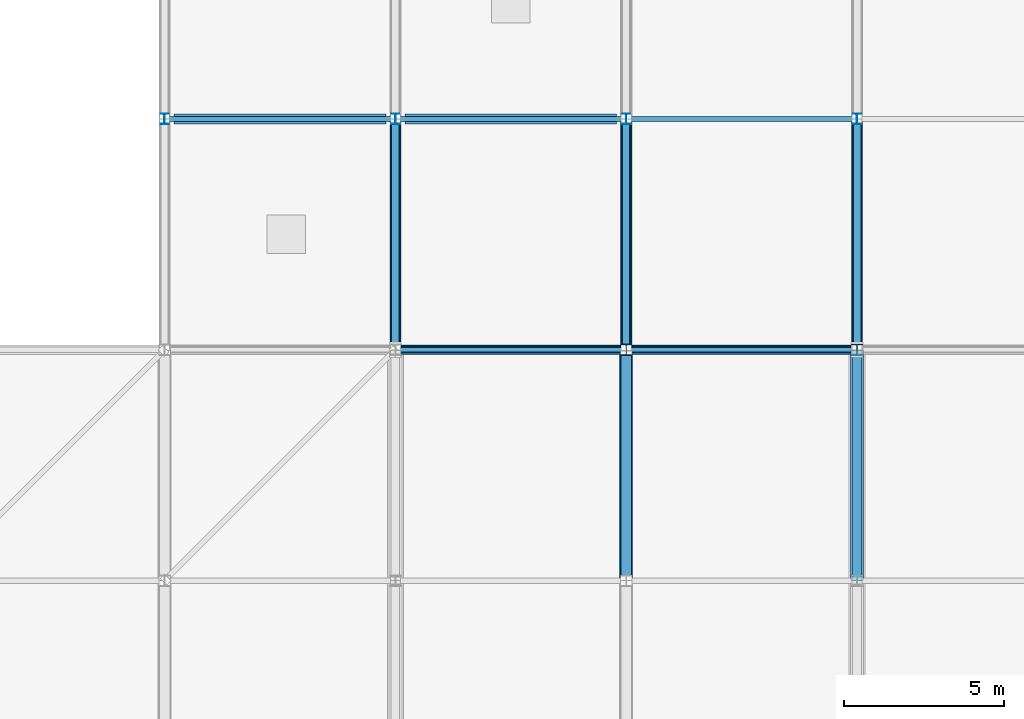
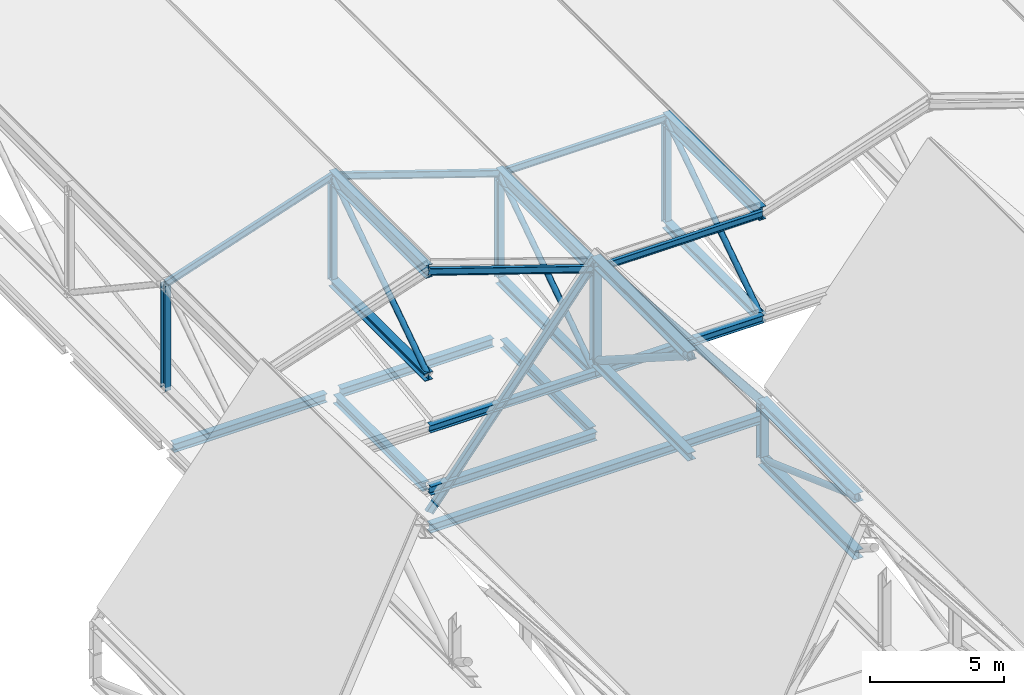
# One storey, part 24 of 60: 28 members, 8 beams.
"""IFC4 building model written with IfcOpenShell, lengths in metres."""

from ifc_helpers import new_model, si_unit, direction, frame, origin, origin_2d, place, context, subcontext, project, spatial, hollow_circle, i_section, extrude, material, material_profile, profile_set, type_object, element, save


model = new_model("IFC4")

# Units and contexts
model_context = context("Model", 3, precision=1e-05, world=origin(), true_north=direction((0.0, 1.0)))
body_context = subcontext(model_context, "Body", "Model", "MODEL_VIEW")
ifc_project = project(units=[si_unit("LENGTHUNIT", "METRE"), si_unit("AREAUNIT", "SQUARE_METRE"), si_unit("VOLUMEUNIT", "CUBIC_METRE"), si_unit("PLANEANGLEUNIT", "RADIAN"), si_unit("MASSUNIT", "GRAM", prefix="KILO")], contexts=[model_context])

# Site, building, storey
site_placement = place(None, origin())
site = spatial("IfcSite", under=ifc_project, at=site_placement, CompositionType="ELEMENT")
building_placement = place(site_placement, origin())
building = spatial("IfcBuilding", under=site, at=building_placement, Name="Vesperath Aquatics Centre", CompositionType="ELEMENT")
storey_placement = place(building_placement, frame((0.0, 0.0, 27.60009765625)))
storey = spatial("IfcBuildingStorey", under=building, at=storey_placement, Name="RF", CompositionType="ELEMENT", Elevation=27.60009765625)

# Beams
ifc_material_1 = material(Name="Steel Q355C", Category="steel")
ifc_material_profile_1 = material_profile(ifc_material_1, i_section(OverallWidth=0.300048828125, OverallDepth=0.389892578125, WebThickness=0.010009765625, FlangeThickness=0.01611328125, FilletRadius=0.02197265625, at=origin_2d()), Name="HM 390x300x10x16")
ifc_profile_set_1 = profile_set([ifc_material_profile_1], Name="Steel Q355C")
beam_type_1 = type_object("IfcBeamType", Name="BM-RB01", PredefinedType="BEAM", material=ifc_profile_set_1)
beam_1_placement = place(storey_placement, frame((7.5, 93.60009765625, -8.755126953125), z_axis=(1.0, 0.0, 0.0), x_axis=(0.0, 1.0, 0.0)))
element("IfcBeam", 1, at=beam_1_placement, inside=storey, type_object=beam_type_1, Name="Flat Roof Girder B11 RF P 2-3", PredefinedType="BEAM", context=body_context, shape_type="SweptSolid", body=[
    extrude(i_section(OverallWidth=0.300048828125, OverallDepth=0.389892578125, WebThickness=0.010009765625, FlangeThickness=0.01611328125, FilletRadius=0.02197265625, at=origin_2d()), origin(), (0.0, 0.0, 1.0), 6.60009765625),
])
beam_2_placement = place(storey_placement, frame((14.409912109375, 86.39990234375, -8.755126953125), z_axis=(1.0, 0.0, 0.0), x_axis=(0.0, 1.0, 0.0)))
element("IfcBeam", 2, at=beam_2_placement, inside=storey, type_object=beam_type_1, Name="Flat Roof Girder B11 RF N 3-4", PredefinedType="BEAM", context=body_context, shape_type="SweptSolid", body=[
    extrude(i_section(OverallWidth=0.300048828125, OverallDepth=0.389892578125, WebThickness=0.010009765625, FlangeThickness=0.01611328125, FilletRadius=0.02197265625, at=origin_2d()), origin(), (0.0, 0.0, 1.0), 7.18017578125),
])
beam_3_placement = place(storey_placement, frame((14.699951171875, 93.60009765625, -8.755126953125), z_axis=(1.0, 0.0, 0.0), x_axis=(0.0, 1.0, 0.0)))
element("IfcBeam", 3, at=beam_3_placement, inside=storey, type_object=beam_type_1, Name="Flat Roof Girder B11 RF P 3-4", PredefinedType="BEAM", context=body_context, shape_type="SweptSolid", body=[
    extrude(i_section(OverallWidth=0.300048828125, OverallDepth=0.389892578125, WebThickness=0.010009765625, FlangeThickness=0.01611328125, FilletRadius=0.02197265625, at=origin_2d()), origin(), (0.0, 0.0, 1.0), 6.60009765625),
])
for number, where, z_axis, x_axis, name in (
    (4, (14.39990234375, 86.614013671875, -8.755126953125), (0.0, 1.0, 0.0), (-1.0, 0.0, 0.0), "Flat Roof Girder B11 RF 3 N-P"),
    (5, (21.60009765625, 86.614013671875, -8.755126953125), (0.0, 1.0, 0.0), (-1.0, 0.0, 0.0), "Flat Roof Girder B11 RF 4 N-P"),
):
    element("IfcBeam", number, at=place(storey_placement, frame(where, z_axis=z_axis, x_axis=x_axis)), inside=storey, type_object=beam_type_1, Name=name, PredefinedType="BEAM", context=body_context, shape_type="SweptSolid", body=[
        extrude(i_section(OverallWidth=0.300048828125, OverallDepth=0.389892578125, WebThickness=0.010009765625, FlangeThickness=0.01611328125, FilletRadius=0.02197265625, at=origin_2d()), origin(), (0.0, 0.0, 1.0), 6.68603515625),
    ])
ifc_material_profile_2 = material_profile(ifc_material_1, i_section(OverallWidth=0.300048828125, OverallDepth=0.389892578125, WebThickness=0.010009765625, FlangeThickness=0.01611328125, FilletRadius=0.02197265625, at=origin_2d()), Name="HM 390x300x10x16")
ifc_profile_set_2 = profile_set([ifc_material_profile_2], Name="Steel Q355C")
beam_type_2 = type_object("IfcBeamType", Name="BM-RB03", PredefinedType="BEAM", material=ifc_profile_set_2)
beam_4_placement = place(storey_placement, frame((14.39990234375, 86.39990234375, -10.478759765625), z_axis=(1.0, 0.0, 0.0), x_axis=(0.0, 1.0, 0.0)))
element("IfcBeam", 6, at=beam_4_placement, inside=storey, type_object=beam_type_2, Name="Natatorium Roof Deck Support Beam B11 G2-86.4", PredefinedType="BEAM", context=body_context, shape_type="SweptSolid", body=[
    extrude(i_section(OverallWidth=0.300048828125, OverallDepth=0.389892578125, WebThickness=0.010009765625, FlangeThickness=0.01611328125, FilletRadius=0.02197265625, at=origin_2d()), origin(), (0.0, 0.0, 1.0), 14.400146484375),
])
ifc_material_profile_3 = material_profile(ifc_material_1, i_section(OverallWidth=0.25, OverallDepth=0.340087890625, WebThickness=0.009033203125, FlangeThickness=0.013916015625, FilletRadius=0.02001953125, at=origin_2d()), Name="HM 340x250x9x14")
ifc_profile_set_3 = profile_set([ifc_material_profile_3], Name="Steel Q355C")
beam_type_3 = type_object("IfcBeamType", Name="BM-RB07", PredefinedType="BEAM", material=ifc_profile_set_3)
beam_5_placement = place(storey_placement, frame((14.39990234375, 86.39990234375, -5.9501953125), z_axis=(1.0, 0.0, 0.0), x_axis=(0.0, 1.0, 0.0)))
element("IfcBeam", 7, at=beam_5_placement, inside=storey, type_object=beam_type_3, Name="Diving Roof Support Beam B12 South 3", PredefinedType="BEAM", context=body_context, shape_type="SweptSolid", body=[
    extrude(i_section(OverallWidth=0.25, OverallDepth=0.340087890625, WebThickness=0.009033203125, FlangeThickness=0.013916015625, FilletRadius=0.02001953125, at=origin_2d()), origin(), (0.0, 0.0, 1.0), 7.2001953125),
])
beam_6_placement = place(storey_placement, frame((21.60009765625, 86.39990234375, -5.9501953125), z_axis=(1.0, 0.0, 0.0), x_axis=(0.0, 1.0, 0.0)))
element("IfcBeam", 8, at=beam_6_placement, inside=storey, type_object=beam_type_3, Name="Diving Roof Support Beam B12 South 4", PredefinedType="BEAM", context=body_context, shape_type="SweptSolid", body=[
    extrude(i_section(OverallWidth=0.25, OverallDepth=0.340087890625, WebThickness=0.009033203125, FlangeThickness=0.013916015625, FilletRadius=0.02001953125, at=origin_2d()), origin(), (0.0, 0.0, 1.0), 7.199951171875),
])

# Members
ifc_material_2 = material(Name="Steel Q355D", Category="steel")
ifc_material_profile_4 = material_profile(ifc_material_2, i_section(OverallWidth=0.39990234375, OverallDepth=0.39990234375, WebThickness=0.012939453125, FlangeThickness=0.02099609375, FilletRadius=0.02197265625, at=origin_2d()), Name="HW 400x400x13x21")
ifc_profile_set_4 = profile_set([ifc_material_profile_4], Name="Steel Q355D")
member_type_1 = type_object("IfcMemberType", Name="MB-BC01", PredefinedType="CHORD", material=ifc_profile_set_4)
member_1_placement = place(storey_placement, frame((28.800048828125, 79.199951171875, -12.400146484375), z_axis=(0.0, 1.0, 0.0), x_axis=(-1.0, 0.0, 0.0)))
element("IfcMember", 9, at=member_1_placement, inside=storey, type_object=member_type_1, Name="Natatorium ROOF TRUSS Bottom Chord BC01 G5-12", PredefinedType="CHORD", context=body_context, shape_type="SweptSolid", body=[
    extrude(i_section(OverallWidth=0.39990234375, OverallDepth=0.39990234375, WebThickness=0.012939453125, FlangeThickness=0.02099609375, FilletRadius=0.02197265625, at=origin_2d()), origin(), (0.0, 0.0, 1.0), 7.199951171875),
])
ifc_material_profile_5 = material_profile(ifc_material_2, i_section(OverallWidth=0.35009765625, OverallDepth=0.35009765625, WebThickness=0.011962890625, FlangeThickness=0.01904296875, FilletRadius=0.02001953125, at=origin_2d()), Name="HW 350x350x12x19")
ifc_profile_set_5 = profile_set([ifc_material_profile_5], Name="Steel Q355D")
member_type_2 = type_object("IfcMemberType", Name="MB-BC02", PredefinedType="CHORD", material=ifc_profile_set_5)
member_2_placement = place(storey_placement, frame((21.60009765625, 79.199951171875, -5.400146484375), z_axis=(0.0, 1.0, 0.0), x_axis=(-1.0, 0.0, 0.0)))
element("IfcMember", 10, at=member_2_placement, inside=storey, type_object=member_type_2, Name="Natatorium ROOF TRUSS Bottom Chord BC02 G4-12", PredefinedType="CHORD", context=body_context, shape_type="SweptSolid", body=[
    extrude(i_section(OverallWidth=0.35009765625, OverallDepth=0.35009765625, WebThickness=0.011962890625, FlangeThickness=0.01904296875, FilletRadius=0.02001953125, at=origin_2d()), origin(), (0.0, 0.0, 1.0), 7.199951171875),
])
for number, where, z_axis, x_axis, name in (
    (11, (14.39990234375, 86.39990234375, -3.60009765625), (0.0, 1.0, 0.0), (-1.0, 0.0, 0.0), "Diving ROOF TRUSS Bottom Chord BC02 G3-1"),
    (12, (21.60009765625, 86.39990234375, -6.0), (0.0, 1.0, 0.0), (-1.0, 0.0, 0.0), "Diving ROOF TRUSS Bottom Chord BC02 G4-1"),
    (13, (28.800048828125, 86.39990234375, -6.0), (0.0, 1.0, 0.0), (-1.0, 0.0, 0.0), "Diving ROOF TRUSS Bottom Chord BC02 G5-1"),
):
    element("IfcMember", number, at=place(storey_placement, frame(where, z_axis=z_axis, x_axis=x_axis)), inside=storey, type_object=member_type_2, Name=name, PredefinedType="CHORD", context=body_context, shape_type="SweptSolid", body=[
        extrude(i_section(OverallWidth=0.35009765625, OverallDepth=0.35009765625, WebThickness=0.011962890625, FlangeThickness=0.01904296875, FilletRadius=0.02001953125, at=origin_2d()), origin(), (0.0, 0.0, 1.0), 7.2001953125),
    ])
ifc_material_profile_6 = material_profile(ifc_material_1, i_section(OverallWidth=0.175048828125, OverallDepth=0.35009765625, WebThickness=0.007080078125, FlangeThickness=0.010986328125, FilletRadius=0.012939453125, at=origin_2d()), Name="HN 350x175x7x11")
ifc_profile_set_6 = profile_set([ifc_material_profile_6], Name="Steel Q355C")
member_type_3 = type_object("IfcMemberType", Name="MB-PR01", PredefinedType="PURLIN", material=ifc_profile_set_6)
for number, where, z_axis, x_axis, name in (
    (14, (14.39990234375, 86.39990234375, -9.800048828125), (0.624705380279, 0.0, 0.780860543151), (0.0, 1.0, 0.0), "Natatorium Roof Purlin PR01 B3-11"),
    (15, (21.60009765625, 86.39990234375, -0.800048828125), (0.624692464322, 0.0, -0.780870876022), (0.0, 1.0, 0.0), "Natatorium Roof Purlin PR01 B4-11"),
):
    element("IfcMember", number, at=place(storey_placement, frame(where, z_axis=z_axis, x_axis=x_axis)), inside=storey, type_object=member_type_3, Name=name, PredefinedType="PURLIN", context=body_context, shape_type="SweptSolid", body=[
        extrude(i_section(OverallWidth=0.175048828125, OverallDepth=0.35009765625, WebThickness=0.007080078125, FlangeThickness=0.010986328125, FilletRadius=0.012939453125, at=origin_2d()), origin(), (0.0, 0.0, 1.0), 11.525634765625),
    ])
ifc_material_profile_7 = material_profile(ifc_material_1, i_section(OverallWidth=0.14990234375, OverallDepth=0.300048828125, WebThickness=0.006591796875, FlangeThickness=0.009033203125, FilletRadius=0.012939453125, at=origin_2d()), Name="HN 300x150x6.5x9")
ifc_profile_set_7 = profile_set([ifc_material_profile_7], Name="Steel Q355C")
member_type_4 = type_object("IfcMemberType", Name="MB-PR02", PredefinedType="PURLIN", material=ifc_profile_set_7)
member_3_placement = place(storey_placement, frame((7.199951171875, 93.60009765625, -1.2001953125), z_axis=(0.948676864184, 0.0, 0.316247066962), x_axis=(0.0, 1.0, 0.0)))
element("IfcMember", 16, at=member_3_placement, inside=storey, type_object=member_type_4, Name="Diving Roof Purlin PR02 2-2", PredefinedType="PURLIN", context=body_context, shape_type="SweptSolid", body=[
    extrude(i_section(OverallWidth=0.14990234375, OverallDepth=0.300048828125, WebThickness=0.006591796875, FlangeThickness=0.009033203125, FilletRadius=0.012939453125, at=origin_2d()), origin(), (0.0, 0.0, 1.0), 7.58935546875),
])
for number, where, z_axis, x_axis, name in (
    (17, (14.39990234375, 86.39990234375, 1.199951171875), (0.948680081264, 0.0, -0.316237416212), (0.0, 1.0, 0.0), "Diving Roof Purlin PR02 3-1"),
    (18, (14.39990234375, 93.60009765625, 1.199951171875), (0.948680081264, 0.0, -0.316237416212), (0.0, 1.0, 0.0), "Diving Roof Purlin PR02 3-2"),
):
    element("IfcMember", number, at=place(storey_placement, frame(where, z_axis=z_axis, x_axis=x_axis)), inside=storey, type_object=member_type_4, Name=name, PredefinedType="PURLIN", context=body_context, shape_type="SweptSolid", body=[
        extrude(i_section(OverallWidth=0.14990234375, OverallDepth=0.300048828125, WebThickness=0.006591796875, FlangeThickness=0.009033203125, FilletRadius=0.012939453125, at=origin_2d()), origin(), (0.0, 0.0, 1.0), 7.589599609375),
    ])
for number, where, z_axis, x_axis, name in (
    (19, (21.60009765625, 86.39990234375, -1.2001953125), (1.0, 0.0, 0.0), (0.0, 1.0, 0.0), "Diving Roof Purlin PR02 4-1"),
    (20, (21.60009765625, 93.60009765625, -1.2001953125), (1.0, 0.0, 0.0), (0.0, 1.0, 0.0), "Diving Roof Purlin PR02 4-2"),
):
    element("IfcMember", number, at=place(storey_placement, frame(where, z_axis=z_axis, x_axis=x_axis)), inside=storey, type_object=member_type_4, Name=name, PredefinedType="PURLIN", context=body_context, shape_type="SweptSolid", body=[
        extrude(i_section(OverallWidth=0.14990234375, OverallDepth=0.300048828125, WebThickness=0.006591796875, FlangeThickness=0.009033203125, FilletRadius=0.012939453125, at=origin_2d()), origin(), (0.0, 0.0, 1.0), 7.199951171875),
    ])
ifc_material_profile_8 = material_profile(ifc_material_2, i_section(OverallWidth=0.406982421875, OverallDepth=0.427978515625, WebThickness=0.02001953125, FlangeThickness=0.034912109375, FilletRadius=0.02197265625, at=origin_2d()), Name="HW 428x407x20x35")
ifc_profile_set_8 = profile_set([ifc_material_profile_8], Name="Steel Q355D")
member_type_5 = type_object("IfcMemberType", Name="MB-TC01", PredefinedType="CHORD", material=ifc_profile_set_8)
member_4_placement = place(storey_placement, frame((21.60009765625, 79.199951171875, -0.800048828125), z_axis=(0.0, 1.0, 0.0), x_axis=(-1.0, 0.0, 0.0)))
element("IfcMember", 21, at=member_4_placement, inside=storey, type_object=member_type_5, Name="Natatorium ROOF TRUSS Top Chord TC01 G4-12", PredefinedType="CHORD", context=body_context, shape_type="SweptSolid", body=[
    extrude(i_section(OverallWidth=0.406982421875, OverallDepth=0.427978515625, WebThickness=0.02001953125, FlangeThickness=0.034912109375, FilletRadius=0.02197265625, at=origin_2d()), origin(), (0.0, 0.0, 1.0), 7.199951171875),
])
ifc_material_profile_9 = material_profile(ifc_material_2, i_section(OverallWidth=0.39990234375, OverallDepth=0.39990234375, WebThickness=0.012939453125, FlangeThickness=0.02099609375, FilletRadius=0.02197265625, at=origin_2d()), Name="HW 400x400x13x21")
ifc_profile_set_9 = profile_set([ifc_material_profile_9], Name="Steel Q355D")
member_type_6 = type_object("IfcMemberType", Name="MB-TC02", PredefinedType="CHORD", material=ifc_profile_set_9)
member_5_placement = place(storey_placement, frame((28.800048828125, 79.199951171875, -9.800048828125), z_axis=(0.0, 1.0, 0.0), x_axis=(-1.0, 0.0, 0.0)))
element("IfcMember", 22, at=member_5_placement, inside=storey, type_object=member_type_6, Name="Natatorium ROOF TRUSS Top Chord TC02 G5-12", PredefinedType="CHORD", context=body_context, shape_type="SweptSolid", body=[
    extrude(i_section(OverallWidth=0.39990234375, OverallDepth=0.39990234375, WebThickness=0.012939453125, FlangeThickness=0.02099609375, FilletRadius=0.02197265625, at=origin_2d()), origin(), (0.0, 0.0, 1.0), 7.199951171875),
])
ifc_material_profile_10 = material_profile(ifc_material_2, i_section(OverallWidth=0.300048828125, OverallDepth=0.587890625, WebThickness=0.011962890625, FlangeThickness=0.02001953125, FilletRadius=0.028076171875, at=origin_2d()), Name="HM 588x300x12x20")
ifc_profile_set_10 = profile_set([ifc_material_profile_10], Name="Steel Q355D")
member_type_7 = type_object("IfcMemberType", Name="MB-TC03", PredefinedType="CHORD", material=ifc_profile_set_10)
for number, where, z_axis, x_axis, name in (
    (23, (14.39990234375, 86.39990234375, 1.199951171875), (0.0, 1.0, 0.0), (-1.0, 0.0, 0.0), "Diving ROOF TRUSS Top Chord TC03 G3-1"),
    (24, (21.60009765625, 86.39990234375, -1.2001953125), (0.0, 1.0, 0.0), (-1.0, 0.0, 0.0), "Diving ROOF TRUSS Top Chord TC03 G4-1"),
    (25, (28.800048828125, 86.39990234375, -1.2001953125), (0.0, 1.0, 0.0), (-1.0, 0.0, 0.0), "Diving ROOF TRUSS Top Chord TC03 G5-1"),
):
    element("IfcMember", number, at=place(storey_placement, frame(where, z_axis=z_axis, x_axis=x_axis)), inside=storey, type_object=member_type_7, Name=name, PredefinedType="CHORD", context=body_context, shape_type="SweptSolid", body=[
        extrude(i_section(OverallWidth=0.300048828125, OverallDepth=0.587890625, WebThickness=0.011962890625, FlangeThickness=0.02001953125, FilletRadius=0.028076171875, at=origin_2d()), origin(), (0.0, 0.0, 1.0), 7.2001953125),
    ])
ifc_material_profile_11 = material_profile(ifc_material_2, hollow_circle(Radius=0.161865234375, WallThickness=0.013916015625, at=origin_2d()), Name="CHS 323.9x14")
ifc_profile_set_11 = profile_set([ifc_material_profile_11], Name="Steel Q355D")
member_type_8 = type_object("IfcMemberType", Name="MB-TD01", PredefinedType="BRACE", material=ifc_profile_set_11)
member_6_placement = place(storey_placement, frame((21.60009765625, 79.267333984375, -0.84326171875), z_axis=(0.0, 0.84270690245, -0.538372618698), x_axis=(-1.0, 0.0, 0.0)))
element("IfcMember", 26, at=member_6_placement, inside=storey, type_object=member_type_8, Name="Natatorium ROOF TRUSS Diagonal TD01 G4-12", PredefinedType="BRACE", context=body_context, shape_type="SweptSolid", body=[
    extrude(hollow_circle(Radius=0.161865234375, WallThickness=0.013916015625, at=origin_2d()), origin(), (0.0, 0.0, 1.0), 8.384033203125),
])
ifc_material_profile_12 = material_profile(ifc_material_2, hollow_circle(Radius=0.136474609375, WallThickness=0.011962890625, at=origin_2d()), Name="CHS 273.0x12")
ifc_profile_set_12 = profile_set([ifc_material_profile_12], Name="Steel Q355D")
member_type_9 = type_object("IfcMemberType", Name="MB-TD02", PredefinedType="BRACE", material=ifc_profile_set_12)
member_7_placement = place(storey_placement, frame((28.800048828125, 79.275146484375, -9.8271484375), z_axis=(0.0, 0.940544360889, -0.339670877761), x_axis=(-1.0, 0.0, 0.0)))
element("IfcMember", 27, at=member_7_placement, inside=storey, type_object=member_type_9, Name="Natatorium ROOF TRUSS Diagonal TD02 G5-12", PredefinedType="BRACE", context=body_context, shape_type="SweptSolid", body=[
    extrude(hollow_circle(Radius=0.136474609375, WallThickness=0.011962890625, at=origin_2d()), origin(), (0.0, 0.0, 1.0), 7.4951171875),
])
ifc_material_profile_13 = material_profile(ifc_material_2, hollow_circle(Radius=0.122314453125, WallThickness=0.011962890625, at=origin_2d()), Name="CHS 244.5x12")
ifc_profile_set_13 = profile_set([ifc_material_profile_13], Name="Steel Q355D")
member_type_10 = type_object("IfcMemberType", Name="MB-TD03", PredefinedType="BRACE", material=ifc_profile_set_13)
for number, where, z_axis, x_axis, name in (
    (28, (14.39990234375, 86.466552734375, -3.5556640625), (0.0, 0.832054716629, 0.554693562731), (-1.0, 0.0, 0.0), "Diving ROOF TRUSS Diagonal TD03 G3-1"),
    (29, (21.60009765625, 86.466552734375, -5.955810546875), (0.0, 0.832041449737, 0.554713462897), (-1.0, 0.0, 0.0), "Diving ROOF TRUSS Diagonal TD03 G4-1"),
    (30, (28.800048828125, 86.466552734375, -5.955810546875), (0.0, 0.832041449737, 0.554713462897), (-1.0, 0.0, 0.0), "Diving ROOF TRUSS Diagonal TD03 G5-1"),
):
    element("IfcMember", number, at=place(storey_placement, frame(where, z_axis=z_axis, x_axis=x_axis)), inside=storey, type_object=member_type_10, Name=name, PredefinedType="BRACE", context=body_context, shape_type="SweptSolid", body=[
        extrude(hollow_circle(Radius=0.122314453125, WallThickness=0.011962890625, at=origin_2d()), origin(), (0.0, 0.0, 1.0), 8.493408203125),
    ])
ifc_material_profile_14 = material_profile(ifc_material_2, i_section(OverallWidth=0.35009765625, OverallDepth=0.35009765625, WebThickness=0.011962890625, FlangeThickness=0.01904296875, FilletRadius=0.02001953125, at=origin_2d()), Name="HW 350x350x12x19")
ifc_profile_set_14 = profile_set([ifc_material_profile_14], Name="Steel Q355D")
member_type_11 = type_object("IfcMemberType", Name="MB-TP01", PredefinedType="POST", material=ifc_profile_set_14)
member_8_placement = place(storey_placement, frame((21.60009765625, 86.39990234375, -5.400146484375), z_axis=(0.0, 0.0, 1.0), x_axis=(1.0, 0.0, 0.0)))
element("IfcMember", 31, at=member_8_placement, inside=storey, type_object=member_type_11, Name="Natatorium ROOF TRUSS Post TP01 G4-13", PredefinedType="POST", context=body_context, shape_type="SweptSolid", body=[
    extrude(i_section(OverallWidth=0.35009765625, OverallDepth=0.35009765625, WebThickness=0.011962890625, FlangeThickness=0.01904296875, FilletRadius=0.02001953125, at=origin_2d()), origin(), (0.0, 0.0, 1.0), 4.60009765625),
])
member_9_placement = place(storey_placement, frame((28.800048828125, 86.39990234375, -12.400146484375), z_axis=(0.0, 0.0, 1.0), x_axis=(1.0, 0.0, 0.0)))
element("IfcMember", 32, at=member_9_placement, inside=storey, type_object=member_type_11, Name="Natatorium ROOF TRUSS Post TP01 G5-13", PredefinedType="POST", context=body_context, shape_type="SweptSolid", body=[
    extrude(i_section(OverallWidth=0.35009765625, OverallDepth=0.35009765625, WebThickness=0.011962890625, FlangeThickness=0.01904296875, FilletRadius=0.02001953125, at=origin_2d()), origin(), (0.0, 0.0, 1.0), 2.60009765625),
])
ifc_material_profile_15 = material_profile(ifc_material_2, i_section(OverallWidth=0.25, OverallDepth=0.340087890625, WebThickness=0.009033203125, FlangeThickness=0.013916015625, FilletRadius=0.02001953125, at=origin_2d()), Name="HM 340x250x9x14")
ifc_profile_set_15 = profile_set([ifc_material_profile_15], Name="Steel Q355D")
member_type_12 = type_object("IfcMemberType", Name="MB-TP02", PredefinedType="POST", material=ifc_profile_set_15)
member_10_placement = place(storey_placement, frame((7.199951171875, 93.60009765625, -6.0), z_axis=(0.0, 0.0, 1.0), x_axis=(1.0, 0.0, 0.0)))
element("IfcMember", 33, at=member_10_placement, inside=storey, type_object=member_type_12, Name="Diving ROOF TRUSS Post TP02 G2-2", PredefinedType="POST", context=body_context, shape_type="SweptSolid", body=[
    extrude(i_section(OverallWidth=0.25, OverallDepth=0.340087890625, WebThickness=0.009033203125, FlangeThickness=0.013916015625, FilletRadius=0.02001953125, at=origin_2d()), origin(), (0.0, 0.0, 1.0), 4.7998046875),
])
member_11_placement = place(storey_placement, frame((14.39990234375, 93.60009765625, -3.60009765625), z_axis=(0.0, 0.0, 1.0), x_axis=(1.0, 0.0, 0.0)))
element("IfcMember", 34, at=member_11_placement, inside=storey, type_object=member_type_12, Name="Diving ROOF TRUSS Post TP02 G3-2", PredefinedType="POST", context=body_context, shape_type="SweptSolid", body=[
    extrude(i_section(OverallWidth=0.25, OverallDepth=0.340087890625, WebThickness=0.009033203125, FlangeThickness=0.013916015625, FilletRadius=0.02001953125, at=origin_2d()), origin(), (0.0, 0.0, 1.0), 4.800048828125),
])
for number, where, z_axis, x_axis, name in (
    (35, (21.60009765625, 93.60009765625, -6.0), (0.0, 0.0, 1.0), (1.0, 0.0, 0.0), "Diving ROOF TRUSS Post TP02 G4-2"),
    (36, (28.800048828125, 93.60009765625, -6.0), (0.0, 0.0, 1.0), (1.0, 0.0, 0.0), "Diving ROOF TRUSS Post TP02 G5-2"),
):
    element("IfcMember", number, at=place(storey_placement, frame(where, z_axis=z_axis, x_axis=x_axis)), inside=storey, type_object=member_type_12, Name=name, PredefinedType="POST", context=body_context, shape_type="SweptSolid", body=[
        extrude(i_section(OverallWidth=0.25, OverallDepth=0.340087890625, WebThickness=0.009033203125, FlangeThickness=0.013916015625, FilletRadius=0.02001953125, at=origin_2d()), origin(), (0.0, 0.0, 1.0), 4.7998046875),
    ])

save(model, "model.ifc")
